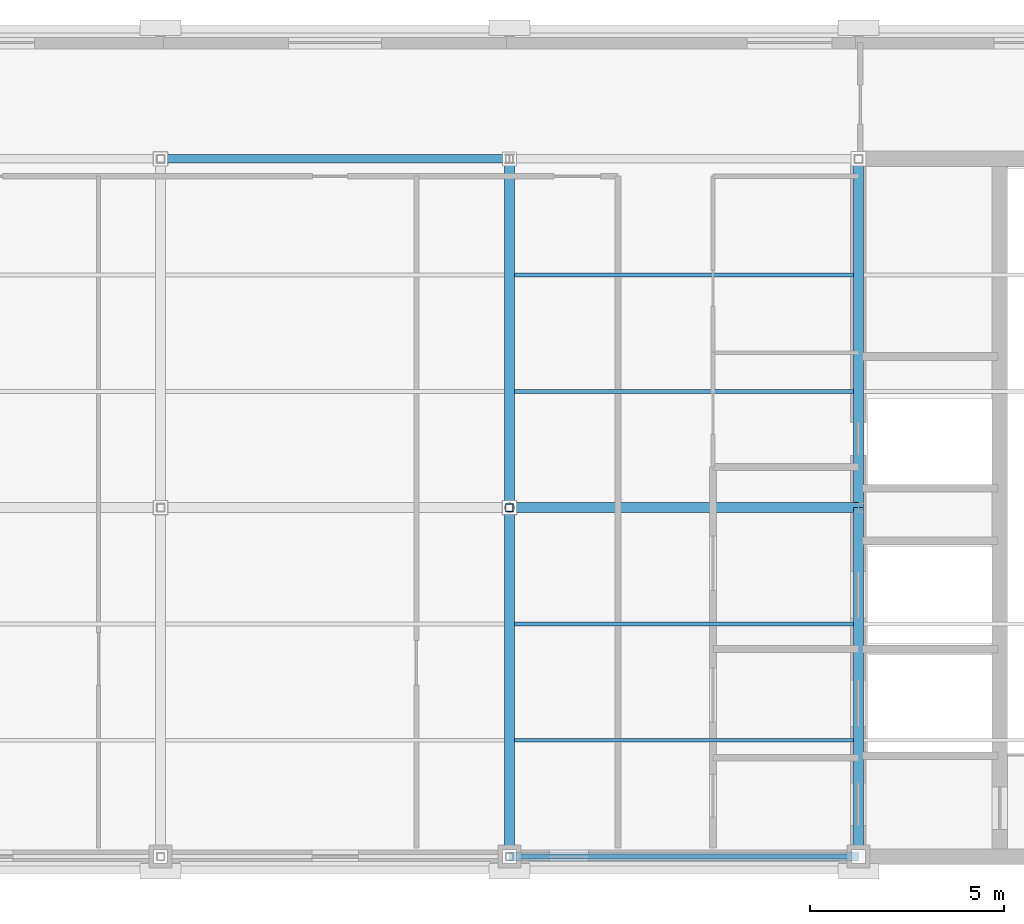
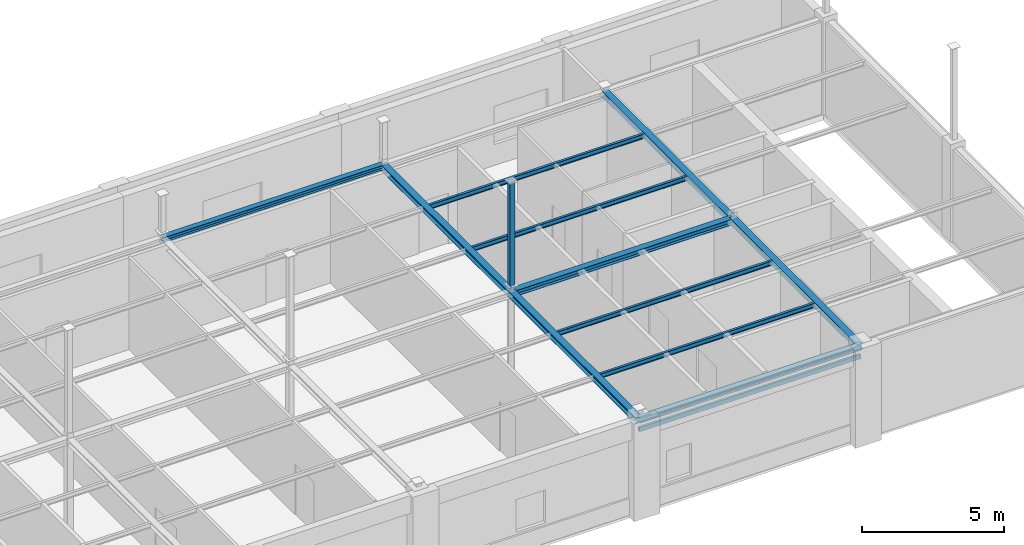
# One storey, part 6 of 13: 11 beams, 2 members.
"""IFC4 building model written with IfcOpenShell, lengths in metres."""

from ifc_helpers import new_model, si_unit, direction, frame, origin, origin_2d, place, context, subcontext, project, spatial, hollow_rectangle, i_section, extrude, material, material_profile, profile_set, type_object, element, save


model = new_model("IFC4")

# Units and contexts
model_context = context("Model", 3, precision=1e-05, world=origin(), true_north=direction((0.0, 1.0)))
body_context = subcontext(model_context, "Body", "Model", "MODEL_VIEW")
ifc_project = project(units=[si_unit("LENGTHUNIT", "METRE"), si_unit("AREAUNIT", "SQUARE_METRE"), si_unit("VOLUMEUNIT", "CUBIC_METRE"), si_unit("PLANEANGLEUNIT", "RADIAN"), si_unit("MASSUNIT", "GRAM", prefix="KILO")], contexts=[model_context])

# Site, building, storey
site_placement = place(None, origin())
site = spatial("IfcSite", under=ifc_project, at=site_placement, CompositionType="ELEMENT")
building_placement = place(site_placement, origin())
building = spatial("IfcBuilding", under=site, at=building_placement, Name="Lykobir Media Centre", CompositionType="ELEMENT")
storey_placement = place(building_placement, frame((0.0, 0.0, 36.0)))
storey = spatial("IfcBuildingStorey", under=building, at=storey_placement, Name="L08", CompositionType="ELEMENT", Elevation=36.0)

# Beams
ifc_material = material(Name="Steel S355", Category="steel")
ifc_material_profile_1 = material_profile(ifc_material, i_section(OverallWidth=0.260009765625, OverallDepth=0.25, WebThickness=0.007568359375, FlangeThickness=0.012451171875, at=origin_2d()), Name="HEA 260")
ifc_profile_set_1 = profile_set([ifc_material_profile_1], Name="Steel S355")
beam_type_1 = type_object("IfcBeamType", Name="BM-HEA260", PredefinedType="BEAM", material=ifc_profile_set_1)
for number, where, z_axis, x_axis, name in (
    (1, (63.0, 9.0, 3.85498046875), (1.0, 0.0, 0.0), (0.0, 1.0, 0.0), "Beam BM-L08-0630-0090-0720-0090-3985"),
    (2, (63.0, 0.0, 3.85498046875), (0.0, 1.0, 0.0), (-1.0, 0.0, 0.0), "Beam BM-L08-0630-0000-0630-0090-3985"),
    (3, (63.0, 9.0, 3.85498046875), (0.0, 1.0, 0.0), (-1.0, 0.0, 0.0), "Beam BM-L08-0630-0090-0630-0180-3985"),
    (4, (72.0, 0.0, 3.85498046875), (0.0, 1.0, 0.0), (-1.0, 0.0, 0.0), "Beam BM-L08-0720-0000-0720-0090-3985"),
    (5, (72.0, 9.0, 3.85498046875), (0.0, 1.0, 0.0), (-1.0, 0.0, 0.0), "Beam BM-L08-0720-0090-0720-0180-3985"),
):
    element("IfcBeam", number, at=place(storey_placement, frame(where, z_axis=z_axis, x_axis=x_axis)), inside=storey, type_object=beam_type_1, Name=name, PredefinedType="BEAM", context=body_context, shape_type="SweptSolid", body=[
        extrude(i_section(OverallWidth=0.260009765625, OverallDepth=0.25, WebThickness=0.007568359375, FlangeThickness=0.012451171875, at=origin_2d()), origin(), (0.0, 0.0, 1.0), 9.0),
    ])
ifc_material_profile_2 = material_profile(ifc_material, i_section(OverallWidth=0.10009765625, OverallDepth=0.199951171875, WebThickness=0.005615234375, FlangeThickness=0.008544921875, at=origin_2d()), Name="IPE 200")
ifc_profile_set_2 = profile_set([ifc_material_profile_2], Name="Steel S355")
beam_type_2 = type_object("IfcBeamType", Name="JS-IPE200", PredefinedType="JOIST", material=ifc_profile_set_2)
for number, where, z_axis, x_axis, name in (
    (6, (63.1298828125, 3.0, 3.8798828125), (1.0, 0.0, 0.0), (0.0, 1.0, 0.0), "Beam BM-L08-0631-0030-0719-0030-3988"),
    (7, (63.1298828125, 6.0, 3.8798828125), (1.0, 0.0, 0.0), (0.0, 1.0, 0.0), "Beam BM-L08-0631-0060-0719-0060-3988"),
    (8, (63.1298828125, 12.0, 3.8798828125), (1.0, 0.0, 0.0), (0.0, 1.0, 0.0), "Beam BM-L08-0631-0120-0719-0120-3988"),
    (9, (63.1298828125, 15.0, 3.8798828125), (1.0, 0.0, 0.0), (0.0, 1.0, 0.0), "Beam BM-L08-0631-0150-0719-0150-3988"),
):
    element("IfcBeam", number, at=place(storey_placement, frame(where, z_axis=z_axis, x_axis=x_axis)), inside=storey, type_object=beam_type_2, Name=name, PredefinedType="JOIST", context=body_context, shape_type="SweptSolid", body=[
        extrude(i_section(OverallWidth=0.10009765625, OverallDepth=0.199951171875, WebThickness=0.005615234375, FlangeThickness=0.008544921875, at=origin_2d()), origin(), (0.0, 0.0, 1.0), 8.740234375),
    ])
ifc_material_profile_3 = material_profile(ifc_material, i_section(OverallWidth=0.219970703125, OverallDepth=0.2099609375, WebThickness=0.007080078125, FlangeThickness=0.010986328125, at=origin_2d()), Name="HEA 220")
ifc_profile_set_3 = profile_set([ifc_material_profile_3], Name="Steel S355")
beam_type_3 = type_object("IfcBeamType", Name="SP-HEA220", PredefinedType="SPANDREL", material=ifc_profile_set_3)
beam_1_placement = place(storey_placement, frame((54.0, 18.0, 3.875), z_axis=(1.0, 0.0, 0.0), x_axis=(0.0, 1.0, 0.0)))
element("IfcBeam", 10, at=beam_1_placement, inside=storey, type_object=beam_type_3, Name="Beam BM-L08-0540-0180-0630-0180-3988", PredefinedType="SPANDREL", context=body_context, shape_type="SweptSolid", body=[
    extrude(i_section(OverallWidth=0.219970703125, OverallDepth=0.2099609375, WebThickness=0.007080078125, FlangeThickness=0.010986328125, at=origin_2d()), origin(), (0.0, 0.0, 1.0), 9.0),
])
ifc_material_profile_4 = material_profile(ifc_material, i_section(OverallWidth=0.219970703125, OverallDepth=0.2099609375, WebThickness=0.007080078125, FlangeThickness=0.010986328125, at=origin_2d()), Name="HEA 220")
ifc_profile_set_4 = profile_set([ifc_material_profile_4], Name="Steel S355")
beam_type_4 = type_object("IfcBeamType", Name="SP-HEA220-E", PredefinedType="SPANDREL", material=ifc_profile_set_4)
beam_2_placement = place(storey_placement, frame((63.0, 0.0, 3.875), z_axis=(1.0, 0.0, 0.0), x_axis=(0.0, 1.0, 0.0)))
element("IfcBeam", 11, at=beam_2_placement, inside=storey, type_object=beam_type_4, Name="Beam BM-L08-0630-0000-0720-0000-3988", PredefinedType="SPANDREL", context=body_context, shape_type="SweptSolid", body=[
    extrude(i_section(OverallWidth=0.219970703125, OverallDepth=0.2099609375, WebThickness=0.007080078125, FlangeThickness=0.010986328125, at=origin_2d()), origin(), (0.0, 0.0, 1.0), 9.0),
])

# Members
ifc_material_profile_5 = material_profile(ifc_material, hollow_rectangle(XDim=0.10009765625, YDim=0.179931640625, WallThickness=0.008056640625, at=origin_2d()), Name="RHS 180x100x8")
ifc_profile_set_5 = profile_set([ifc_material_profile_5], Name="Steel S355")
member_type_1 = type_object("IfcMemberType", Name="TC-RHS180-E", PredefinedType="CHORD", material=ifc_profile_set_5)
member_1_placement = place(storey_placement, frame((63.0, 0.0, 3.449951171875), z_axis=(1.0, 0.0, 0.0), x_axis=(0.0, 1.0, 0.0)))
element("IfcMember", 12, at=member_1_placement, inside=storey, type_object=member_type_1, Name="Truss chord MEM2-L08-0630-0000-0394-0720-0000-0512", PredefinedType="CHORD", context=body_context, shape_type="SweptSolid", body=[
    extrude(hollow_rectangle(XDim=0.10009765625, YDim=0.179931640625, WallThickness=0.008056640625, at=origin_2d()), origin(), (0.0, 0.0, 1.0), 9.0),
])
ifc_material_profile_6 = material_profile(ifc_material, hollow_rectangle(XDim=0.199951171875, YDim=0.199951171875, WallThickness=0.010009765625, at=origin_2d()), Name="SHS 200x200x10")
ifc_profile_set_6 = profile_set([ifc_material_profile_6], Name="Steel S355")
member_type_2 = type_object("IfcMemberType", Name="TC-SHS200", PredefinedType="CHORD", material=ifc_profile_set_6)
member_2_placement = place(storey_placement, frame((63.0, 9.0, 4.199951171875), z_axis=(0.0, 0.0, 1.0), x_axis=(1.0, 0.0, 0.0)))
element("IfcMember", 13, at=member_2_placement, inside=storey, type_object=member_type_2, Name="Truss chord MEM2-L08-0630-0090-0402-0630-0090-0053", PredefinedType="CHORD", context=body_context, shape_type="SweptSolid", body=[
    extrude(hollow_rectangle(XDim=0.199951171875, YDim=0.199951171875, WallThickness=0.010009765625, at=origin_2d()), origin(), (0.0, 0.0, 1.0), 4.484375),
])

save(model, "model.ifc")
